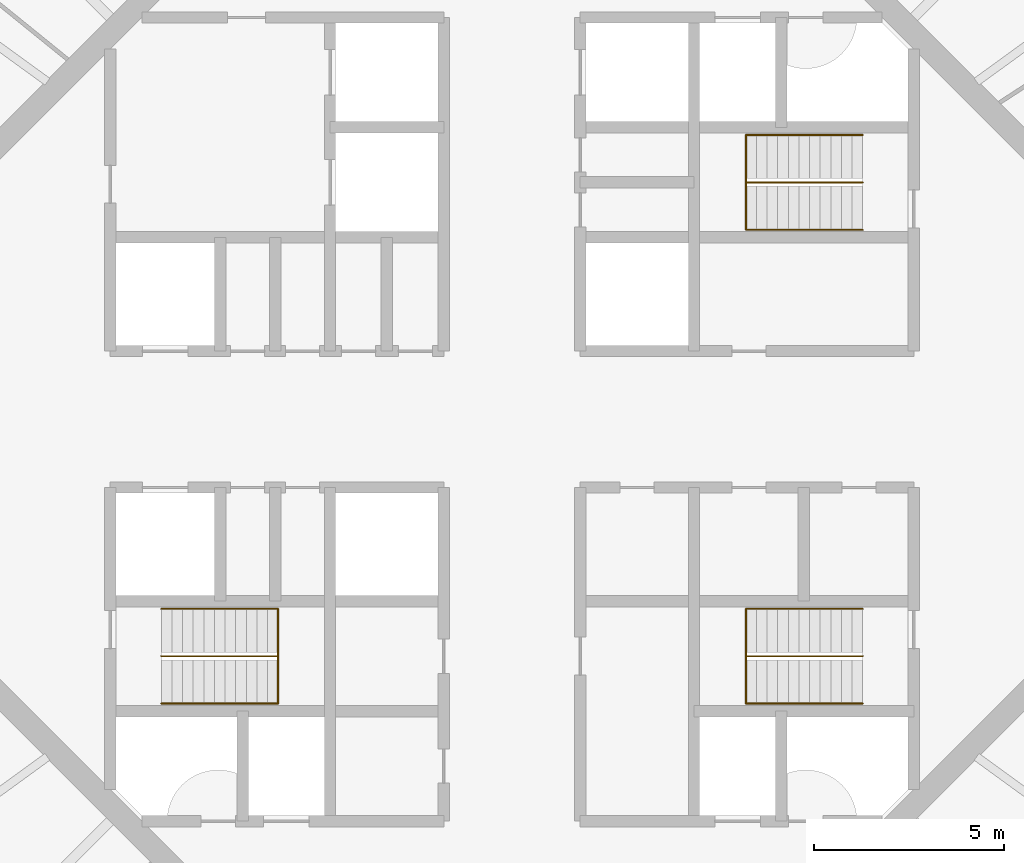
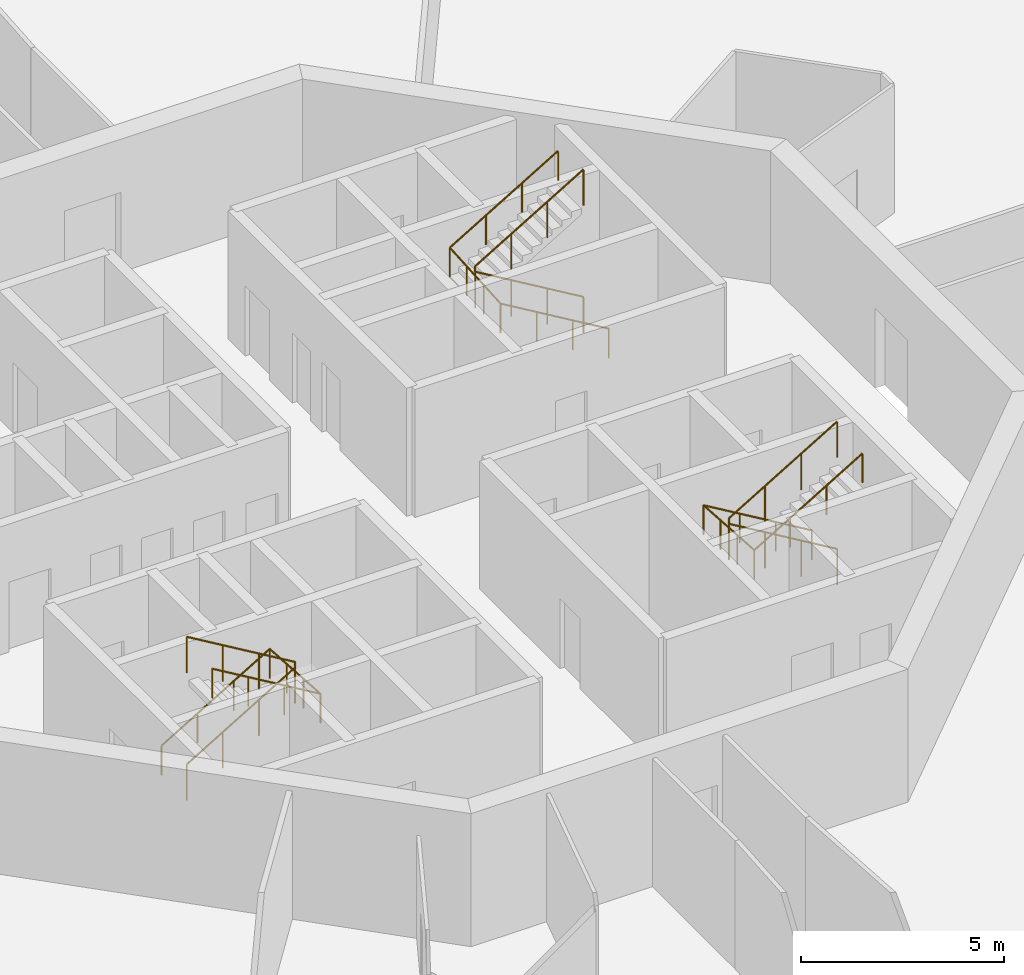
# One storey, part 13 of 13: 6 railings.
"""IFC4 building model written with IfcOpenShell, lengths in metres."""

from ifc_helpers import new_model, si_unit, direction, frame, origin, origin_2d, place, context, subcontext, project, spatial, circle, extrude, material, type_object, element, save


model = new_model("IFC4")

# Units and contexts
model_context = context("Model", 3, precision=1e-05, world=origin(), true_north=direction((0.0, 1.0)))
body_context = subcontext(model_context, "Body", "Model", "MODEL_VIEW")
ifc_project = project(units=[si_unit("LENGTHUNIT", "METRE"), si_unit("AREAUNIT", "SQUARE_METRE"), si_unit("VOLUMEUNIT", "CUBIC_METRE"), si_unit("PLANEANGLEUNIT", "RADIAN"), si_unit("MASSUNIT", "GRAM", prefix="KILO")], contexts=[model_context])

# Site, building, storey
site_placement = place(None, origin())
site = spatial("IfcSite", under=ifc_project, at=site_placement, CompositionType="ELEMENT")
building_placement = place(site_placement, origin())
building = spatial("IfcBuilding", under=site, at=building_placement, Name="Entoto Ring Tower", CompositionType="ELEMENT")
storey_placement = place(building_placement, frame((0.0, 0.0, 372.0)))
storey = spatial("IfcBuildingStorey", under=building, at=storey_placement, Name="L86", CompositionType="ELEMENT", Elevation=372.0)

# Railings
ifc_material_1 = material(Name="Steel S275", Category="steel")
railing_type_1 = type_object("IfcRailingType", Name="Stair guard 1100 mm steel", PredefinedType="GUARDRAIL", material=ifc_material_1)
railing_1_placement = place(storey_placement, frame((99.25, 86.25, 0.166748046875)))
element("IfcRailing", 1, at=railing_1_placement, inside=storey, type_object=railing_type_1, Name="Guard ST1", PredefinedType="GUARDRAIL", context=body_context, shape_type="SweptSolid", body=[
    extrude(circle(Radius=0.02392578125, at=origin_2d()), frame((0.0, 0.0, 1.076171875), z_axis=(-0.859308565015, 0.0, 0.511457515432), x_axis=(0.0, -1.0, 0.0)), (0.0, 0.0, 1.0), 3.58447265625),
    extrude(circle(Radius=0.02392578125, at=origin_2d()), frame((-3.080078125, 0.0, 2.9091796875), z_axis=(0.0, 0.0, 1.0), x_axis=(1.0, 0.0, 0.0)), (0.0, 0.0, 1.0), 0.166748046875),
    extrude(circle(Radius=0.02392578125, at=origin_2d()), frame((-3.080078125, 0.0, 3.076171875), z_axis=(0.859308565015, 0.0, 0.511457515432), x_axis=(0.0, 1.0, 0.0)), (0.0, 0.0, 1.0), 3.58447265625),
    extrude(circle(Radius=0.02099609375, at=origin_2d()), origin(), (0.0, 0.0, 1.0), 1.052001953125),
    extrude(circle(Radius=0.02099609375, at=origin_2d()), frame((-1.026611328125, 0.0, 0.611083984375)), (0.0, 0.0, 1.0), 1.052001953125),
    extrude(circle(Radius=0.02099609375, at=origin_2d()), frame((-2.053466796875, 0.0, 1.22216796875)), (0.0, 0.0, 1.0), 1.052001953125),
    extrude(circle(Radius=0.02099609375, at=origin_2d()), frame((-3.080078125, 0.0, 1.833251953125)), (0.0, 0.0, 1.0), 1.052001953125),
    extrude(circle(Radius=0.02099609375, at=origin_2d()), frame((-3.080078125, 0.0, 2.0)), (0.0, 0.0, 1.0), 1.052001953125),
    extrude(circle(Radius=0.02099609375, at=origin_2d()), frame((-2.053466796875, 0.0, 2.611083984375)), (0.0, 0.0, 1.0), 1.052001953125),
    extrude(circle(Radius=0.02099609375, at=origin_2d()), frame((-1.026611328125, 0.0, 3.22216796875)), (0.0, 0.0, 1.0), 1.052001953125),
    extrude(circle(Radius=0.02099609375, at=origin_2d()), frame((0.0, 0.0, 3.833251953125)), (0.0, 0.0, 1.0), 1.052001953125),
])
railing_2_placement = place(storey_placement, frame((80.75, 73.75, 0.166748046875)))
element("IfcRailing", 2, at=railing_2_placement, inside=storey, type_object=railing_type_1, Name="Guard ST2", PredefinedType="GUARDRAIL", context=body_context, shape_type="SweptSolid", body=[
    extrude(circle(Radius=0.02392578125, at=origin_2d()), frame((0.0, 0.0, 1.076171875), z_axis=(0.859308565015, 0.0, 0.511457515432), x_axis=(0.0, 1.0, 0.0)), (0.0, 0.0, 1.0), 3.58447265625),
    extrude(circle(Radius=0.02392578125, at=origin_2d()), frame((3.080078125, 0.0, 2.9091796875), z_axis=(0.0, 0.0, 1.0), x_axis=(1.0, 0.0, 0.0)), (0.0, 0.0, 1.0), 0.166748046875),
    extrude(circle(Radius=0.02392578125, at=origin_2d()), frame((3.080078125, 0.0, 3.076171875), z_axis=(-0.859308565015, 0.0, 0.511457515432), x_axis=(0.0, -1.0, 0.0)), (0.0, 0.0, 1.0), 3.58447265625),
    extrude(circle(Radius=0.02099609375, at=origin_2d()), origin(), (0.0, 0.0, 1.0), 1.052001953125),
    extrude(circle(Radius=0.02099609375, at=origin_2d()), frame((1.026611328125, 0.0, 0.611083984375)), (0.0, 0.0, 1.0), 1.052001953125),
    extrude(circle(Radius=0.02099609375, at=origin_2d()), frame((2.053466796875, 0.0, 1.22216796875)), (0.0, 0.0, 1.0), 1.052001953125),
    extrude(circle(Radius=0.02099609375, at=origin_2d()), frame((3.080078125, 0.0, 1.833251953125)), (0.0, 0.0, 1.0), 1.052001953125),
    extrude(circle(Radius=0.02099609375, at=origin_2d()), frame((3.080078125, 0.0, 2.0)), (0.0, 0.0, 1.0), 1.052001953125),
    extrude(circle(Radius=0.02099609375, at=origin_2d()), frame((2.053466796875, 0.0, 2.611083984375)), (0.0, 0.0, 1.0), 1.052001953125),
    extrude(circle(Radius=0.02099609375, at=origin_2d()), frame((1.026611328125, 0.0, 3.22216796875)), (0.0, 0.0, 1.0), 1.052001953125),
    extrude(circle(Radius=0.02099609375, at=origin_2d()), frame((0.0, 0.0, 3.833251953125)), (0.0, 0.0, 1.0), 1.052001953125),
])
railing_3_placement = place(storey_placement, frame((99.25, 73.75, 0.166748046875)))
element("IfcRailing", 3, at=railing_3_placement, inside=storey, type_object=railing_type_1, Name="Guard ST3", PredefinedType="GUARDRAIL", context=body_context, shape_type="SweptSolid", body=[
    extrude(circle(Radius=0.02392578125, at=origin_2d()), frame((0.0, 0.0, 1.076171875), z_axis=(-0.859308565015, 0.0, 0.511457515432), x_axis=(0.0, -1.0, 0.0)), (0.0, 0.0, 1.0), 3.58447265625),
    extrude(circle(Radius=0.02392578125, at=origin_2d()), frame((-3.080078125, 0.0, 2.9091796875), z_axis=(0.0, 0.0, 1.0), x_axis=(1.0, 0.0, 0.0)), (0.0, 0.0, 1.0), 0.166748046875),
    extrude(circle(Radius=0.02392578125, at=origin_2d()), frame((-3.080078125, 0.0, 3.076171875), z_axis=(0.859308565015, 0.0, 0.511457515432), x_axis=(0.0, 1.0, 0.0)), (0.0, 0.0, 1.0), 3.58447265625),
    extrude(circle(Radius=0.02099609375, at=origin_2d()), origin(), (0.0, 0.0, 1.0), 1.052001953125),
    extrude(circle(Radius=0.02099609375, at=origin_2d()), frame((-1.026611328125, 0.0, 0.611083984375)), (0.0, 0.0, 1.0), 1.052001953125),
    extrude(circle(Radius=0.02099609375, at=origin_2d()), frame((-2.053466796875, 0.0, 1.22216796875)), (0.0, 0.0, 1.0), 1.052001953125),
    extrude(circle(Radius=0.02099609375, at=origin_2d()), frame((-3.080078125, 0.0, 1.833251953125)), (0.0, 0.0, 1.0), 1.052001953125),
    extrude(circle(Radius=0.02099609375, at=origin_2d()), frame((-3.080078125, 0.0, 2.0)), (0.0, 0.0, 1.0), 1.052001953125),
    extrude(circle(Radius=0.02099609375, at=origin_2d()), frame((-2.053466796875, 0.0, 2.611083984375)), (0.0, 0.0, 1.0), 1.052001953125),
    extrude(circle(Radius=0.02099609375, at=origin_2d()), frame((-1.026611328125, 0.0, 3.22216796875)), (0.0, 0.0, 1.0), 1.052001953125),
    extrude(circle(Radius=0.02099609375, at=origin_2d()), frame((0.0, 0.0, 3.833251953125)), (0.0, 0.0, 1.0), 1.052001953125),
])
ifc_material_2 = material(Name="Steel S275", Category="steel")
railing_type_2 = type_object("IfcRailingType", Name="Stair handrail 900 mm steel", PredefinedType="HANDRAIL", material=ifc_material_2)
railing_4_placement = place(storey_placement, frame((99.25, 85.0, 0.166748046875)))
element("IfcRailing", 4, at=railing_4_placement, inside=storey, type_object=railing_type_2, Name="Handrail ST1", PredefinedType="HANDRAIL", context=body_context, shape_type="SweptSolid", body=[
    extrude(circle(Radius=0.02392578125, at=origin_2d()), frame((0.0, 0.0, 0.8759765625), z_axis=(-0.859308565015, 0.0, 0.511457515432), x_axis=(0.0, -1.0, 0.0)), (0.0, 0.0, 1.0), 3.58447265625),
    extrude(circle(Radius=0.02392578125, at=origin_2d()), frame((-3.080078125, 0.0, 2.708984375), z_axis=(0.0, 0.997783001586, 0.066551346688), x_axis=(-1.0, 0.0, 0.0)), (0.0, 0.0, 1.0), 2.505615234375),
    extrude(circle(Radius=0.02392578125, at=origin_2d()), frame((-3.080078125, 2.5, 2.8759765625), z_axis=(0.859308565015, 0.0, 0.511457515432), x_axis=(0.0, 1.0, 0.0)), (0.0, 0.0, 1.0), 3.58447265625),
    extrude(circle(Radius=0.02099609375, at=origin_2d()), origin(), (0.0, 0.0, 1.0), 0.851806640625),
    extrude(circle(Radius=0.02099609375, at=origin_2d()), frame((-1.026611328125, 0.0, 0.611083984375)), (0.0, 0.0, 1.0), 0.851806640625),
    extrude(circle(Radius=0.02099609375, at=origin_2d()), frame((-2.053466796875, 0.0, 1.22216796875)), (0.0, 0.0, 1.0), 0.851806640625),
    extrude(circle(Radius=0.02099609375, at=origin_2d()), frame((-3.080078125, 0.0, 1.833251953125)), (0.0, 0.0, 1.0), 0.851806640625),
    extrude(circle(Radius=0.02099609375, at=origin_2d()), frame((-3.080078125, 0.833251953125, 1.888916015625)), (0.0, 0.0, 1.0), 0.851806640625),
    extrude(circle(Radius=0.02099609375, at=origin_2d()), frame((-3.080078125, 1.666748046875, 1.9443359375)), (0.0, 0.0, 1.0), 0.851806640625),
    extrude(circle(Radius=0.02099609375, at=origin_2d()), frame((-3.080078125, 2.5, 2.0)), (0.0, 0.0, 1.0), 0.851806640625),
    extrude(circle(Radius=0.02099609375, at=origin_2d()), frame((-2.053466796875, 2.5, 2.611083984375)), (0.0, 0.0, 1.0), 0.851806640625),
    extrude(circle(Radius=0.02099609375, at=origin_2d()), frame((-1.026611328125, 2.5, 3.22216796875)), (0.0, 0.0, 1.0), 0.851806640625),
    extrude(circle(Radius=0.02099609375, at=origin_2d()), frame((0.0, 2.5, 3.833251953125)), (0.0, 0.0, 1.0), 0.851806640625),
])
railing_5_placement = place(storey_placement, frame((80.75, 75.0, 0.166748046875)))
element("IfcRailing", 5, at=railing_5_placement, inside=storey, type_object=railing_type_2, Name="Handrail ST2", PredefinedType="HANDRAIL", context=body_context, shape_type="SweptSolid", body=[
    extrude(circle(Radius=0.02392578125, at=origin_2d()), frame((0.0, 0.0, 0.8759765625), z_axis=(0.859308565015, 0.0, 0.511457515432), x_axis=(0.0, 1.0, 0.0)), (0.0, 0.0, 1.0), 3.58447265625),
    extrude(circle(Radius=0.02392578125, at=origin_2d()), frame((3.080078125, 0.0, 2.708984375), z_axis=(0.0, -0.997783001586, 0.066551346688), x_axis=(1.0, 0.0, 0.0)), (0.0, 0.0, 1.0), 2.505615234375),
    extrude(circle(Radius=0.02392578125, at=origin_2d()), frame((3.080078125, -2.5, 2.8759765625), z_axis=(-0.859308565015, 0.0, 0.511457515432), x_axis=(0.0, -1.0, 0.0)), (0.0, 0.0, 1.0), 3.58447265625),
    extrude(circle(Radius=0.02099609375, at=origin_2d()), origin(), (0.0, 0.0, 1.0), 0.851806640625),
    extrude(circle(Radius=0.02099609375, at=origin_2d()), frame((1.026611328125, 0.0, 0.611083984375)), (0.0, 0.0, 1.0), 0.851806640625),
    extrude(circle(Radius=0.02099609375, at=origin_2d()), frame((2.053466796875, 0.0, 1.22216796875)), (0.0, 0.0, 1.0), 0.851806640625),
    extrude(circle(Radius=0.02099609375, at=origin_2d()), frame((3.080078125, 0.0, 1.833251953125)), (0.0, 0.0, 1.0), 0.851806640625),
    extrude(circle(Radius=0.02099609375, at=origin_2d()), frame((3.080078125, -0.833251953125, 1.888916015625)), (0.0, 0.0, 1.0), 0.851806640625),
    extrude(circle(Radius=0.02099609375, at=origin_2d()), frame((3.080078125, -1.666748046875, 1.9443359375)), (0.0, 0.0, 1.0), 0.851806640625),
    extrude(circle(Radius=0.02099609375, at=origin_2d()), frame((3.080078125, -2.5, 2.0)), (0.0, 0.0, 1.0), 0.851806640625),
    extrude(circle(Radius=0.02099609375, at=origin_2d()), frame((2.053466796875, -2.5, 2.611083984375)), (0.0, 0.0, 1.0), 0.851806640625),
    extrude(circle(Radius=0.02099609375, at=origin_2d()), frame((1.026611328125, -2.5, 3.22216796875)), (0.0, 0.0, 1.0), 0.851806640625),
    extrude(circle(Radius=0.02099609375, at=origin_2d()), frame((0.0, -2.5, 3.833251953125)), (0.0, 0.0, 1.0), 0.851806640625),
])
railing_6_placement = place(storey_placement, frame((99.25, 75.0, 0.166748046875)))
element("IfcRailing", 6, at=railing_6_placement, inside=storey, type_object=railing_type_2, Name="Handrail ST3", PredefinedType="HANDRAIL", context=body_context, shape_type="SweptSolid", body=[
    extrude(circle(Radius=0.02392578125, at=origin_2d()), frame((0.0, 0.0, 0.8759765625), z_axis=(-0.859308565015, 0.0, 0.511457515432), x_axis=(0.0, -1.0, 0.0)), (0.0, 0.0, 1.0), 3.58447265625),
    extrude(circle(Radius=0.02392578125, at=origin_2d()), frame((-3.080078125, 0.0, 2.708984375), z_axis=(0.0, -0.997783001586, 0.066551346688), x_axis=(1.0, 0.0, 0.0)), (0.0, 0.0, 1.0), 2.505615234375),
    extrude(circle(Radius=0.02392578125, at=origin_2d()), frame((-3.080078125, -2.5, 2.8759765625), z_axis=(0.859308565015, 0.0, 0.511457515432), x_axis=(0.0, 1.0, 0.0)), (0.0, 0.0, 1.0), 3.58447265625),
    extrude(circle(Radius=0.02099609375, at=origin_2d()), origin(), (0.0, 0.0, 1.0), 0.851806640625),
    extrude(circle(Radius=0.02099609375, at=origin_2d()), frame((-1.026611328125, 0.0, 0.611083984375)), (0.0, 0.0, 1.0), 0.851806640625),
    extrude(circle(Radius=0.02099609375, at=origin_2d()), frame((-2.053466796875, 0.0, 1.22216796875)), (0.0, 0.0, 1.0), 0.851806640625),
    extrude(circle(Radius=0.02099609375, at=origin_2d()), frame((-3.080078125, 0.0, 1.833251953125)), (0.0, 0.0, 1.0), 0.851806640625),
    extrude(circle(Radius=0.02099609375, at=origin_2d()), frame((-3.080078125, -0.833251953125, 1.888916015625)), (0.0, 0.0, 1.0), 0.851806640625),
    extrude(circle(Radius=0.02099609375, at=origin_2d()), frame((-3.080078125, -1.666748046875, 1.9443359375)), (0.0, 0.0, 1.0), 0.851806640625),
    extrude(circle(Radius=0.02099609375, at=origin_2d()), frame((-3.080078125, -2.5, 2.0)), (0.0, 0.0, 1.0), 0.851806640625),
    extrude(circle(Radius=0.02099609375, at=origin_2d()), frame((-2.053466796875, -2.5, 2.611083984375)), (0.0, 0.0, 1.0), 0.851806640625),
    extrude(circle(Radius=0.02099609375, at=origin_2d()), frame((-1.026611328125, -2.5, 3.22216796875)), (0.0, 0.0, 1.0), 0.851806640625),
    extrude(circle(Radius=0.02099609375, at=origin_2d()), frame((0.0, -2.5, 3.833251953125)), (0.0, 0.0, 1.0), 0.851806640625),
])

save(model, "model.ifc")
